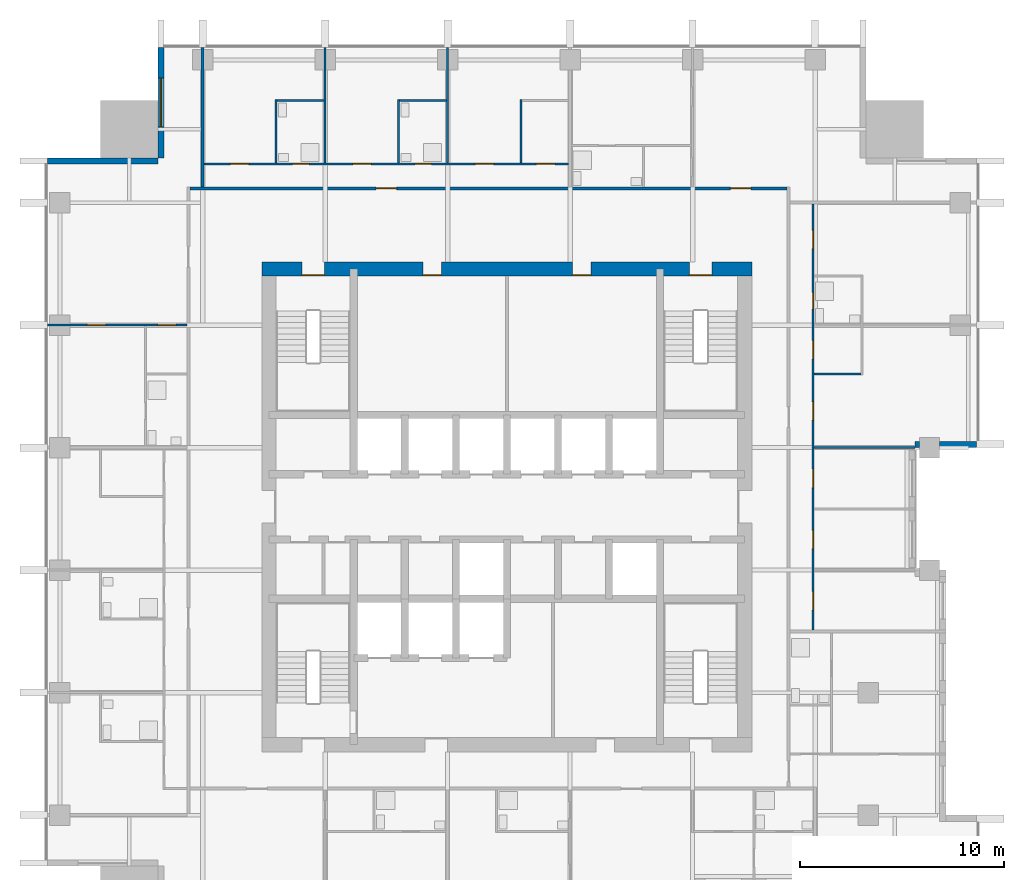
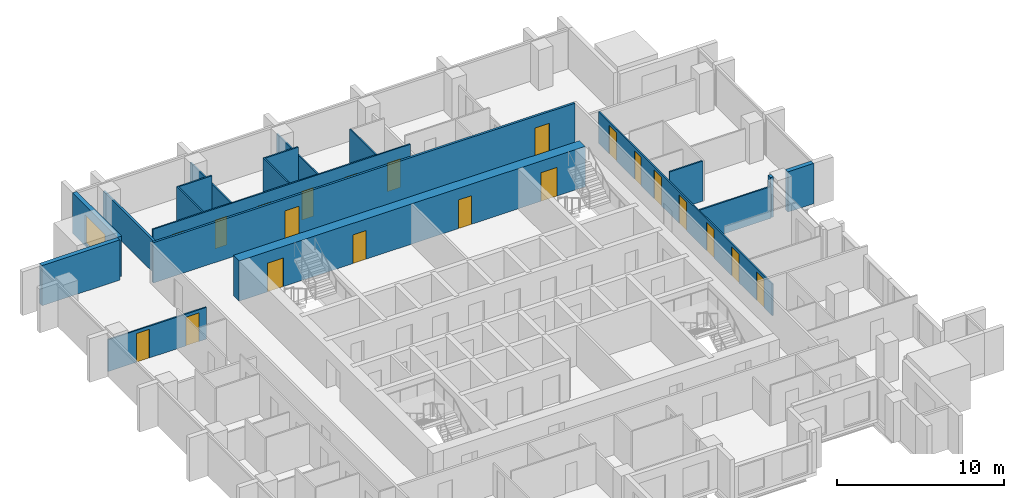
# One storey, part 7 of 10: 21 doors, 19 walls, 1 window, 22 openings.
"""IFC4 building model written with IfcOpenShell, lengths in metres."""

from ifc_helpers import new_model, si_unit, direction, frame, frame_2d, origin, place, context, subcontext, project, spatial, rectangle, extrude, material, layer, layer_set, type_object, element, fill, save


model = new_model("IFC4")

# Units and contexts
model_context = context("Model", 3, precision=1e-05, world=origin(), true_north=direction((0.0, 1.0)))
body_context = subcontext(model_context, "Body", "Model", "MODEL_VIEW")
ifc_project = project(units=[si_unit("LENGTHUNIT", "METRE"), si_unit("AREAUNIT", "SQUARE_METRE"), si_unit("VOLUMEUNIT", "CUBIC_METRE"), si_unit("PLANEANGLEUNIT", "RADIAN"), si_unit("MASSUNIT", "GRAM", prefix="KILO")], contexts=[model_context])

# Site, building, storey
site_placement = place(None, origin())
site = spatial("IfcSite", under=ifc_project, at=site_placement, CompositionType="ELEMENT")
building_placement = place(site_placement, origin())
building = spatial("IfcBuilding", under=site, at=building_placement, Name="Amberfall Residences", CompositionType="ELEMENT")
storey_placement = place(building_placement, frame((0.0, 0.0, 174.699951171875)))
storey = spatial("IfcBuildingStorey", under=building, at=storey_placement, Name="L47", CompositionType="ELEMENT", Elevation=174.699951171875)

# Walls
ifc_material_1 = material(Name="Pale stone cladding on insulated backing", Category="masonry")
ifc_layer_1 = layer(ifc_material_1, 0.300048828125)
ifc_layer_set_1 = layer_set([ifc_layer_1], Name="Bronze clad wall 300")
wall_type_1 = type_object("IfcWallType", Name="Bronze clad wall 300", PredefinedType="SOLIDWALL", material=ifc_layer_set_1)
wall_1_placement = place(storey_placement, frame((94.5, 48.550048828125, 0.0), z_axis=(0.0, 0.0, 1.0), x_axis=(1.0, 0.0, 0.0)))
element("IfcWall", 1, at=wall_1_placement, inside=storey, type_object=wall_type_1, Name="External wall L47 E", PredefinedType="SOLIDWALL", context=body_context, shape_type="SweptSolid", body=[
    extrude(rectangle(XDim=0.199951171875, YDim=0.300048828125, at=frame_2d((0.10009765625, 0.0))), origin(), (0.0, 0.0, 1.0), 2.949951171875),
])
wall_2_placement = place(storey_placement, frame((95.699951171875, 48.550048828125, 0.0), z_axis=(0.0, 0.0, 1.0), x_axis=(1.0, 0.0, 0.0)))
element("IfcWall", 2, at=wall_2_placement, inside=storey, type_object=wall_type_1, Name="External wall L47 E", PredefinedType="SOLIDWALL", context=body_context, shape_type="SweptSolid", body=[
    extrude(rectangle(XDim=1.800048828125, YDim=0.300048828125, at=frame_2d((0.89990234375, 0.0))), origin(), (0.0, 0.0, 1.0), 2.949951171875),
])

# Wall, opening, window
wall_3_placement = place(storey_placement, frame((57.550048828125, 68.0, 0.0), z_axis=(0.0, 0.0, 1.0), x_axis=(0.0, -1.0, 0.0)))
wall_3 = element("IfcWall", 3, at=wall_3_placement, inside=storey, type_object=wall_type_1, Name="External wall L47 NW", PredefinedType="SOLIDWALL", context=body_context, shape_type="SweptSolid", body=[
    extrude(rectangle(XDim=5.39990234375, YDim=0.300048828125, at=frame_2d((2.699951171875, 0.0))), origin(), (0.0, 0.0, 1.0), 2.949951171875),
])
opening_1_placement = place(wall_3_placement, frame((1.5, 0.0, 0.14990234375)))
opening_1 = element("IfcOpeningElement", 4, at=opening_1_placement, cuts=wall_3, Name="Opening WN5", PredefinedType="OPENING", context=body_context, shape_type="SweptSolid", body=[
    extrude(rectangle(XDim=2.39990234375, YDim=2.10009765625, at=frame_2d((1.199951171875, 1.050048828125))), frame((0.0, 0.159912109375, 0.0), z_axis=(0.0, -1.0, 0.0), x_axis=(1.0, 0.0, 0.0)), (0.0, 0.0, 1.0), 0.320068359375),
])
ifc_material_2 = material(Name="Bronze aluminium framed glazing", Category="aluminium")
window_type = type_object("IfcWindowType", Name="Glazed opening 2400 x 2100 bronze", PartitioningType="DOUBLE_PANEL_VERTICAL", PredefinedType="WINDOW", material=ifc_material_2)
window_placement = place(opening_1_placement, origin())
window = element("IfcWindow", 5, at=window_placement, inside=storey, type_object=window_type, Name="Window L47 NW", OverallHeight=2.10009765625, OverallWidth=2.39990234375, PartitioningType="DOUBLE_PANEL_VERTICAL", PredefinedType="WINDOW", context=body_context, shape_type="SweptSolid", body=[
    extrude(rectangle(XDim=2.39990234375, YDim=2.10009765625, at=frame_2d((1.199951171875, 1.050048828125))), frame((0.0, 0.030029296875, 0.0), z_axis=(0.0, -1.0, 0.0), x_axis=(1.0, 0.0, 0.0)), (0.0, 0.0, 1.0), 0.06005859375),
])
fill(opening_1, window)

# Wall
wall_4_placement = place(storey_placement, frame((57.39990234375, 62.449951171875, 0.0), z_axis=(0.0, 0.0, 1.0), x_axis=(-1.0, 0.0, 0.0)))
element("IfcWall", 6, at=wall_4_placement, inside=storey, type_object=wall_type_1, Name="External wall L47 NW", PredefinedType="SOLIDWALL", context=body_context, shape_type="SweptSolid", body=[
    extrude(rectangle(XDim=5.39990234375, YDim=0.300048828125, at=frame_2d((2.699951171875, 0.0))), origin(), (0.0, 0.0, 1.0), 2.949951171875),
])

# Wall, openings, doors
ifc_material_3 = material(Name="Concrete C60", Category="concrete")
ifc_layer_2 = layer(ifc_material_3, 0.699951171875)
ifc_layer_set_2 = layer_set([ifc_layer_2], Name="Core wall 700 C60")
wall_type_2 = type_object("IfcWallType", Name="Core wall 700 C60", PredefinedType="SHEAR", material=ifc_layer_set_2)
wall_5_placement = place(storey_placement, frame((62.5, 57.14990234375, 0.0), z_axis=(0.0, 0.0, 1.0), x_axis=(1.0, 0.0, 0.0)))
wall_5 = element("IfcWall", 7, at=wall_5_placement, inside=storey, type_object=wall_type_2, Name="Core wall RW5 L47 ON", PredefinedType="SHEAR", context=body_context, shape_type="SweptSolid", body=[
    extrude(rectangle(XDim=24.0, YDim=0.699951171875, at=frame_2d((12.0, 0.0))), origin(), (0.0, 0.0, 1.0), 2.949951171875),
])
opening_2_placement = place(wall_5_placement, frame((20.9375, 0.0, 0.0)))
opening_2 = element("IfcOpeningElement", 8, at=opening_2_placement, cuts=wall_5, Name="Opening SD1", PredefinedType="OPENING", context=body_context, shape_type="SweptSolid", body=[
    extrude(rectangle(XDim=1.10009765625, YDim=2.10009765625, at=frame_2d((0.550048828125, 1.050048828125))), frame((0.0, 0.35986328125, 0.0), z_axis=(0.0, -1.0, 0.0), x_axis=(1.0, 0.0, 0.0)), (0.0, 0.0, 1.0), 0.719970703125),
])
opening_3_placement = place(wall_5_placement, frame((1.96240234375, 0.0, 0.0)))
opening_3 = element("IfcOpeningElement", 9, at=opening_3_placement, cuts=wall_5, Name="Opening SD1", PredefinedType="OPENING", context=body_context, shape_type="SweptSolid", body=[
    extrude(rectangle(XDim=1.10009765625, YDim=2.10009765625, at=frame_2d((0.550048828125, 1.050048828125))), frame((0.0, 0.35986328125, 0.0), z_axis=(0.0, -1.0, 0.0), x_axis=(1.0, 0.0, 0.0)), (0.0, 0.0, 1.0), 0.719970703125),
])
opening_4_placement = place(wall_5_placement, frame((7.887451171875, 0.0, 0.0)))
opening_4 = element("IfcOpeningElement", 10, at=opening_4_placement, cuts=wall_5, Name="Opening RD1", PredefinedType="OPENING", context=body_context, shape_type="SweptSolid", body=[
    extrude(rectangle(XDim=0.89990234375, YDim=2.10009765625, at=frame_2d((0.449951171875, 1.050048828125))), frame((0.0, 0.35986328125, 0.0), z_axis=(0.0, -1.0, 0.0), x_axis=(1.0, 0.0, 0.0)), (0.0, 0.0, 1.0), 0.719970703125),
])
opening_5_placement = place(wall_5_placement, frame((15.21240234375, 0.0, 0.0)))
opening_5 = element("IfcOpeningElement", 11, at=opening_5_placement, cuts=wall_5, Name="Opening RD1", PredefinedType="OPENING", context=body_context, shape_type="SweptSolid", body=[
    extrude(rectangle(XDim=0.89990234375, YDim=2.10009765625, at=frame_2d((0.449951171875, 1.050048828125))), frame((0.0, 0.35986328125, 0.0), z_axis=(0.0, -1.0, 0.0), x_axis=(1.0, 0.0, 0.0)), (0.0, 0.0, 1.0), 0.719970703125),
])
ifc_material_4 = material(Name="Steel fire door set", Category="steel")
door_type_1 = type_object("IfcDoorType", Name="Service room door 900 x 2100", OperationType="SINGLE_SWING_LEFT", PredefinedType="DOOR", material=ifc_material_4)
door_1_placement = place(opening_4_placement, origin())
door_1 = element("IfcDoor", 12, at=door_1_placement, inside=storey, type_object=door_type_1, Name="RD1 L47", OperationType="SINGLE_SWING_RIGHT", OverallHeight=2.10009765625, OverallWidth=0.89990234375, PredefinedType="DOOR", context=body_context, shape_type="SweptSolid", body=[
    extrude(rectangle(XDim=0.89990234375, YDim=2.10009765625, at=frame_2d((0.449951171875, 1.050048828125))), frame((0.0, -0.28759765625, 0.0), z_axis=(0.0, -1.0, 0.0), x_axis=(1.0, 0.0, 0.0)), (0.0, 0.0, 1.0), 0.050048828125),
])
fill(opening_4, door_1)
door_2_placement = place(opening_5_placement, origin())
door_2 = element("IfcDoor", 13, at=door_2_placement, inside=storey, type_object=door_type_1, Name="RD1 L47", OperationType="SINGLE_SWING_RIGHT", OverallHeight=2.10009765625, OverallWidth=0.89990234375, PredefinedType="DOOR", context=body_context, shape_type="SweptSolid", body=[
    extrude(rectangle(XDim=0.89990234375, YDim=2.10009765625, at=frame_2d((0.449951171875, 1.050048828125))), frame((0.0, -0.28759765625, 0.0), z_axis=(0.0, -1.0, 0.0), x_axis=(1.0, 0.0, 0.0)), (0.0, 0.0, 1.0), 0.050048828125),
])
fill(opening_5, door_2)
door_type_2 = type_object("IfcDoorType", Name="Stair door 1100 x 2100", OperationType="SINGLE_SWING_LEFT", PredefinedType="DOOR", material=ifc_material_4)
door_3_placement = place(opening_2_placement, origin())
door_3 = element("IfcDoor", 14, at=door_3_placement, inside=storey, type_object=door_type_2, Name="SD1 L47", OperationType="SINGLE_SWING_RIGHT", OverallHeight=2.10009765625, OverallWidth=1.10009765625, PredefinedType="DOOR", context=body_context, shape_type="SweptSolid", body=[
    extrude(rectangle(XDim=1.10009765625, YDim=2.10009765625, at=frame_2d((0.550048828125, 1.050048828125))), frame((0.0, -0.28759765625, 0.0), z_axis=(0.0, -1.0, 0.0), x_axis=(1.0, 0.0, 0.0)), (0.0, 0.0, 1.0), 0.050048828125),
])
fill(opening_2, door_3)
door_4_placement = place(opening_3_placement, origin())
door_4 = element("IfcDoor", 15, at=door_4_placement, inside=storey, type_object=door_type_2, Name="SD1 L47", OperationType="SINGLE_SWING_LEFT", OverallHeight=2.10009765625, OverallWidth=1.10009765625, PredefinedType="DOOR", context=body_context, shape_type="SweptSolid", body=[
    extrude(rectangle(XDim=1.10009765625, YDim=2.10009765625, at=frame_2d((0.550048828125, 1.050048828125))), frame((0.0, -0.28759765625, 0.0), z_axis=(0.0, -1.0, 0.0), x_axis=(1.0, 0.0, 0.0)), (0.0, 0.0, 1.0), 0.050048828125),
])
fill(opening_3, door_4)

# Walls
ifc_material_5 = material(Name="Gypsum board on metal stud")
ifc_layer_3 = layer(ifc_material_5, 0.10009765625)
ifc_layer_set_3 = layer_set([ifc_layer_3], Name="Flat partition 100")
wall_type_3 = type_object("IfcWallType", Name="Flat partition 100", PredefinedType="PARTITIONING", material=ifc_layer_set_3)
wall_6_placement = place(storey_placement, frame((63.199951171875, 62.35009765625, 0.0), z_axis=(0.0, 0.0, 1.0), x_axis=(0.0, 1.0, 0.0)))
element("IfcWall", 16, at=wall_6_placement, inside=storey, type_object=wall_type_3, Name="Partition 006", PredefinedType="PARTITIONING", context=body_context, shape_type="SweptSolid", body=[
    extrude(rectangle(XDim=3.099853515625, YDim=0.10009765625, at=frame_2d((1.5498046875, 0.0))), origin(), (0.0, 0.0, 1.0), 2.949951171875),
])
wall_7_placement = place(storey_placement, frame((65.60009765625, 62.35009765625, 0.0), z_axis=(0.0, 0.0, 1.0), x_axis=(0.0, 1.0, 0.0)))
element("IfcWall", 17, at=wall_7_placement, inside=storey, type_object=wall_type_3, Name="Partition 008", PredefinedType="PARTITIONING", context=body_context, shape_type="SweptSolid", body=[
    extrude(rectangle(XDim=5.64990234375, YDim=0.10009765625, at=frame_2d((2.824951171875, 0.0))), origin(), (0.0, 0.0, 1.0), 2.33203125),
])
wall_8_placement = place(storey_placement, frame((69.199951171875, 62.35009765625, 0.0), z_axis=(0.0, 0.0, 1.0), x_axis=(0.0, 1.0, 0.0)))
element("IfcWall", 18, at=wall_8_placement, inside=storey, type_object=wall_type_3, Name="Partition 010", PredefinedType="PARTITIONING", context=body_context, shape_type="SweptSolid", body=[
    extrude(rectangle(XDim=3.099853515625, YDim=0.10009765625, at=frame_2d((1.5498046875, 0.0))), origin(), (0.0, 0.0, 1.0), 2.949951171875),
])
wall_9_placement = place(storey_placement, frame((71.60009765625, 62.35009765625, 0.0), z_axis=(0.0, 0.0, 1.0), x_axis=(0.0, 1.0, 0.0)))
element("IfcWall", 19, at=wall_9_placement, inside=storey, type_object=wall_type_3, Name="Partition 011", PredefinedType="PARTITIONING", context=body_context, shape_type="SweptSolid", body=[
    extrude(rectangle(XDim=5.64990234375, YDim=0.10009765625, at=frame_2d((2.824951171875, 0.0))), origin(), (0.0, 0.0, 1.0), 2.33203125),
])
wall_10_placement = place(storey_placement, frame((75.199951171875, 62.35009765625, 0.0), z_axis=(0.0, 0.0, 1.0), x_axis=(0.0, 1.0, 0.0)))
element("IfcWall", 20, at=wall_10_placement, inside=storey, type_object=wall_type_3, Name="Partition 013", PredefinedType="PARTITIONING", context=body_context, shape_type="SweptSolid", body=[
    extrude(rectangle(XDim=3.099853515625, YDim=0.10009765625, at=frame_2d((1.5498046875, 0.0))), origin(), (0.0, 0.0, 1.0), 2.949951171875),
])

# Wall, openings, doors
wall_11_placement = place(storey_placement, frame((89.5, 60.324951171875, 0.0), z_axis=(0.0, 0.0, 1.0), x_axis=(0.0, -1.0, 0.0)))
wall_11 = element("IfcWall", 21, at=wall_11_placement, inside=storey, type_object=wall_type_3, Name="Partition 019", PredefinedType="PARTITIONING", context=body_context, shape_type="SweptSolid", body=[
    extrude(rectangle(XDim=20.849853515625, YDim=0.10009765625, at=frame_2d((10.4248046875, 0.0))), origin(), (0.0, 0.0, 1.0), 2.33203125),
])
opening_6_placement = place(wall_11_placement, frame((9.675048828125, 0.0, 0.0)))
opening_6 = element("IfcOpeningElement", 22, at=opening_6_placement, cuts=wall_11, Name="Opening D41", PredefinedType="OPENING", context=body_context, shape_type="SweptSolid", body=[
    extrude(rectangle(XDim=0.89990234375, YDim=2.10009765625, at=frame_2d((0.449951171875, 1.050048828125))), frame((0.0, 0.06005859375, 0.0), z_axis=(0.0, -1.0, 0.0), x_axis=(1.0, 0.0, 0.0)), (0.0, 0.0, 1.0), 0.1201171875),
])
opening_7_placement = place(wall_11_placement, frame((6.675048828125, 0.0, 0.0)))
opening_7 = element("IfcOpeningElement", 23, at=opening_7_placement, cuts=wall_11, Name="Opening D41", PredefinedType="OPENING", context=body_context, shape_type="SweptSolid", body=[
    extrude(rectangle(XDim=0.89990234375, YDim=2.10009765625, at=frame_2d((0.449951171875, 1.050048828125))), frame((0.0, 0.06005859375, 0.0), z_axis=(0.0, -1.0, 0.0), x_axis=(1.0, 0.0, 0.0)), (0.0, 0.0, 1.0), 0.1201171875),
])
opening_8_placement = place(wall_11_placement, frame((18.97509765625, 0.0, 0.0)))
opening_8 = element("IfcOpeningElement", 24, at=opening_8_placement, cuts=wall_11, Name="Opening D41", PredefinedType="OPENING", context=body_context, shape_type="SweptSolid", body=[
    extrude(rectangle(XDim=0.89990234375, YDim=2.10009765625, at=frame_2d((0.449951171875, 1.050048828125))), frame((0.0, 0.06005859375, 0.0), z_axis=(0.0, -1.0, 0.0), x_axis=(1.0, 0.0, 0.0)), (0.0, 0.0, 1.0), 0.1201171875),
])
opening_9_placement = place(wall_11_placement, frame((15.97509765625, 0.0, 0.0)))
opening_9 = element("IfcOpeningElement", 25, at=opening_9_placement, cuts=wall_11, Name="Opening D41", PredefinedType="OPENING", context=body_context, shape_type="SweptSolid", body=[
    extrude(rectangle(XDim=0.89990234375, YDim=2.10009765625, at=frame_2d((0.449951171875, 1.050048828125))), frame((0.0, 0.06005859375, 0.0), z_axis=(0.0, -1.0, 0.0), x_axis=(1.0, 0.0, 0.0)), (0.0, 0.0, 1.0), 0.1201171875),
])
opening_10_placement = place(wall_11_placement, frame((12.97509765625, 0.0, 0.0)))
opening_10 = element("IfcOpeningElement", 26, at=opening_10_placement, cuts=wall_11, Name="Opening D41", PredefinedType="OPENING", context=body_context, shape_type="SweptSolid", body=[
    extrude(rectangle(XDim=0.89990234375, YDim=2.10009765625, at=frame_2d((0.449951171875, 1.050048828125))), frame((0.0, 0.06005859375, 0.0), z_axis=(0.0, -1.0, 0.0), x_axis=(1.0, 0.0, 0.0)), (0.0, 0.0, 1.0), 0.1201171875),
])
opening_11_placement = place(wall_11_placement, frame((1.27490234375, 0.0, 0.0)))
opening_11 = element("IfcOpeningElement", 27, at=opening_11_placement, cuts=wall_11, Name="Opening D41", PredefinedType="OPENING", context=body_context, shape_type="SweptSolid", body=[
    extrude(rectangle(XDim=0.89990234375, YDim=2.10009765625, at=frame_2d((0.449951171875, 1.050048828125))), frame((0.0, 0.06005859375, 0.0), z_axis=(0.0, -1.0, 0.0), x_axis=(1.0, 0.0, 0.0)), (0.0, 0.0, 1.0), 0.1201171875),
])
opening_12_placement = place(wall_11_placement, frame((4.324951171875, 0.0, 0.0)))
opening_12 = element("IfcOpeningElement", 28, at=opening_12_placement, cuts=wall_11, Name="Opening D42", PredefinedType="OPENING", context=body_context, shape_type="SweptSolid", body=[
    extrude(rectangle(XDim=0.800048828125, YDim=2.10009765625, at=frame_2d((0.39990234375, 1.050048828125))), frame((0.0, 0.06005859375, 0.0), z_axis=(0.0, -1.0, 0.0), x_axis=(1.0, 0.0, 0.0)), (0.0, 0.0, 1.0), 0.1201171875),
])
ifc_material_6 = material(Name="Timber", Category="wood")
door_type_3 = type_object("IfcDoorType", Name="Bathroom door 800 x 2100", OperationType="SINGLE_SWING_LEFT", PredefinedType="DOOR", material=ifc_material_6)
door_5_placement = place(opening_12_placement, origin())
door_5 = element("IfcDoor", 29, at=door_5_placement, inside=storey, type_object=door_type_3, Name="Door 4704 bath1", OperationType="SINGLE_SWING_LEFT", OverallHeight=2.10009765625, OverallWidth=0.800048828125, PredefinedType="DOOR", context=body_context, shape_type="SweptSolid", body=[
    extrude(rectangle(XDim=0.800048828125, YDim=2.10009765625, at=frame_2d((0.39990234375, 1.050048828125))), frame((0.0, 0.02490234375, 0.0), z_axis=(0.0, -1.0, 0.0), x_axis=(1.0, 0.0, 0.0)), (0.0, 0.0, 1.0), 0.050048828125),
])
fill(opening_12, door_5)
door_type_4 = type_object("IfcDoorType", Name="Internal door 900 x 2100", OperationType="SINGLE_SWING_LEFT", PredefinedType="DOOR", material=ifc_material_6)
door_6_placement = place(opening_6_placement, origin())
door_6 = element("IfcDoor", 30, at=door_6_placement, inside=storey, type_object=door_type_4, Name="Door 4704 living", OperationType="SINGLE_SWING_LEFT", OverallHeight=2.10009765625, OverallWidth=0.89990234375, PredefinedType="DOOR", context=body_context, shape_type="SweptSolid", body=[
    extrude(rectangle(XDim=0.89990234375, YDim=2.10009765625, at=frame_2d((0.449951171875, 1.050048828125))), frame((0.0, 0.02490234375, 0.0), z_axis=(0.0, -1.0, 0.0), x_axis=(1.0, 0.0, 0.0)), (0.0, 0.0, 1.0), 0.050048828125),
])
fill(opening_6, door_6)
door_7_placement = place(opening_7_placement, origin())
door_7 = element("IfcDoor", 31, at=door_7_placement, inside=storey, type_object=door_type_4, Name="Door 4704 kitchen", OperationType="SINGLE_SWING_LEFT", OverallHeight=2.10009765625, OverallWidth=0.89990234375, PredefinedType="DOOR", context=body_context, shape_type="SweptSolid", body=[
    extrude(rectangle(XDim=0.89990234375, YDim=2.10009765625, at=frame_2d((0.449951171875, 1.050048828125))), frame((0.0, 0.02490234375, 0.0), z_axis=(0.0, -1.0, 0.0), x_axis=(1.0, 0.0, 0.0)), (0.0, 0.0, 1.0), 0.050048828125),
])
fill(opening_7, door_7)
door_8_placement = place(opening_8_placement, origin())
door_8 = element("IfcDoor", 32, at=door_8_placement, inside=storey, type_object=door_type_4, Name="Door 4704 bedroom1", OperationType="SINGLE_SWING_LEFT", OverallHeight=2.10009765625, OverallWidth=0.89990234375, PredefinedType="DOOR", context=body_context, shape_type="SweptSolid", body=[
    extrude(rectangle(XDim=0.89990234375, YDim=2.10009765625, at=frame_2d((0.449951171875, 1.050048828125))), frame((0.0, 0.02490234375, 0.0), z_axis=(0.0, -1.0, 0.0), x_axis=(1.0, 0.0, 0.0)), (0.0, 0.0, 1.0), 0.050048828125),
])
fill(opening_8, door_8)
door_9_placement = place(opening_9_placement, origin())
door_9 = element("IfcDoor", 33, at=door_9_placement, inside=storey, type_object=door_type_4, Name="Door 4704 bedroom2", OperationType="SINGLE_SWING_LEFT", OverallHeight=2.10009765625, OverallWidth=0.89990234375, PredefinedType="DOOR", context=body_context, shape_type="SweptSolid", body=[
    extrude(rectangle(XDim=0.89990234375, YDim=2.10009765625, at=frame_2d((0.449951171875, 1.050048828125))), frame((0.0, 0.02490234375, 0.0), z_axis=(0.0, -1.0, 0.0), x_axis=(1.0, 0.0, 0.0)), (0.0, 0.0, 1.0), 0.050048828125),
])
fill(opening_9, door_9)
door_10_placement = place(opening_10_placement, origin())
door_10 = element("IfcDoor", 34, at=door_10_placement, inside=storey, type_object=door_type_4, Name="Door 4704 bedroom3", OperationType="SINGLE_SWING_LEFT", OverallHeight=2.10009765625, OverallWidth=0.89990234375, PredefinedType="DOOR", context=body_context, shape_type="SweptSolid", body=[
    extrude(rectangle(XDim=0.89990234375, YDim=2.10009765625, at=frame_2d((0.449951171875, 1.050048828125))), frame((0.0, 0.02490234375, 0.0), z_axis=(0.0, -1.0, 0.0), x_axis=(1.0, 0.0, 0.0)), (0.0, 0.0, 1.0), 0.050048828125),
])
fill(opening_10, door_10)
door_11_placement = place(opening_11_placement, origin())
door_11 = element("IfcDoor", 35, at=door_11_placement, inside=storey, type_object=door_type_4, Name="Door 4704 bedroom4", OperationType="SINGLE_SWING_LEFT", OverallHeight=2.10009765625, OverallWidth=0.89990234375, PredefinedType="DOOR", context=body_context, shape_type="SweptSolid", body=[
    extrude(rectangle(XDim=0.89990234375, YDim=2.10009765625, at=frame_2d((0.449951171875, 1.050048828125))), frame((0.0, 0.02490234375, 0.0), z_axis=(0.0, -1.0, 0.0), x_axis=(1.0, 0.0, 0.0)), (0.0, 0.0, 1.0), 0.050048828125),
])
fill(opening_11, door_11)

# Walls
for number, where, z_axis, x_axis, name in (
    (36, (63.25, 65.39990234375, 0.0), (0.0, 0.0, 1.0), (1.0, 0.0, 0.0), "Partition 022"),
    (37, (69.25, 65.39990234375, 0.0), (0.0, 0.0, 1.0), (1.0, 0.0, 0.0), "Partition 023"),
):
    element("IfcWall", number, at=place(storey_placement, frame(where, z_axis=z_axis, x_axis=x_axis)), inside=storey, type_object=wall_type_3, Name=name, PredefinedType="PARTITIONING", context=body_context, shape_type="SweptSolid", body=[
        extrude(rectangle(XDim=2.300048828125, YDim=0.10009765625, at=frame_2d((1.14990234375, 0.0))), origin(), (0.0, 0.0, 1.0), 2.949951171875),
    ])

# Wall, openings, doors
wall_12_placement = place(storey_placement, frame((59.675048828125, 62.300048828125, 0.0), z_axis=(0.0, 0.0, 1.0), x_axis=(1.0, 0.0, 0.0)))
wall_12 = element("IfcWall", 38, at=wall_12_placement, inside=storey, type_object=wall_type_3, Name="Partition 026", PredefinedType="PARTITIONING", context=body_context, shape_type="SweptSolid", body=[
    extrude(rectangle(XDim=17.849853515625, YDim=0.10009765625, at=frame_2d((8.9248046875, 0.0))), origin(), (0.0, 0.0, 1.0), 2.949951171875),
])
opening_13_placement = place(wall_12_placement, frame((13.27490234375, 0.0, 0.0)))
opening_13 = element("IfcOpeningElement", 39, at=opening_13_placement, cuts=wall_12, Name="Opening D41", PredefinedType="OPENING", context=body_context, shape_type="SweptSolid", body=[
    extrude(rectangle(XDim=0.89990234375, YDim=2.10009765625, at=frame_2d((0.449951171875, 1.050048828125))), frame((0.0, 0.06005859375, 0.0), z_axis=(0.0, -1.0, 0.0), x_axis=(1.0, 0.0, 0.0)), (0.0, 0.0, 1.0), 0.1201171875),
])
opening_14_placement = place(wall_12_placement, frame((16.27490234375, 0.0, 0.0)))
opening_14 = element("IfcOpeningElement", 40, at=opening_14_placement, cuts=wall_12, Name="Opening D41", PredefinedType="OPENING", context=body_context, shape_type="SweptSolid", body=[
    extrude(rectangle(XDim=0.89990234375, YDim=2.10009765625, at=frame_2d((0.449951171875, 1.050048828125))), frame((0.0, 0.06005859375, 0.0), z_axis=(0.0, -1.0, 0.0), x_axis=(1.0, 0.0, 0.0)), (0.0, 0.0, 1.0), 0.1201171875),
])
opening_15_placement = place(wall_12_placement, frame((1.27490234375, 0.0, 0.0)))
opening_15 = element("IfcOpeningElement", 41, at=opening_15_placement, cuts=wall_12, Name="Opening D41", PredefinedType="OPENING", context=body_context, shape_type="SweptSolid", body=[
    extrude(rectangle(XDim=0.89990234375, YDim=2.10009765625, at=frame_2d((0.449951171875, 1.050048828125))), frame((0.0, 0.06005859375, 0.0), z_axis=(0.0, -1.0, 0.0), x_axis=(1.0, 0.0, 0.0)), (0.0, 0.0, 1.0), 0.1201171875),
])
opening_16_placement = place(wall_12_placement, frame((7.27490234375, 0.0, 0.0)))
opening_16 = element("IfcOpeningElement", 42, at=opening_16_placement, cuts=wall_12, Name="Opening D41", PredefinedType="OPENING", context=body_context, shape_type="SweptSolid", body=[
    extrude(rectangle(XDim=0.89990234375, YDim=2.10009765625, at=frame_2d((0.449951171875, 1.050048828125))), frame((0.0, 0.06005859375, 0.0), z_axis=(0.0, -1.0, 0.0), x_axis=(1.0, 0.0, 0.0)), (0.0, 0.0, 1.0), 0.1201171875),
])
opening_17_placement = place(wall_12_placement, frame((4.324951171875, 0.0, 0.0)))
opening_17 = element("IfcOpeningElement", 43, at=opening_17_placement, cuts=wall_12, Name="Opening D42", PredefinedType="OPENING", context=body_context, shape_type="SweptSolid", body=[
    extrude(rectangle(XDim=0.800048828125, YDim=2.10009765625, at=frame_2d((0.39990234375, 1.050048828125))), frame((0.0, 0.06005859375, 0.0), z_axis=(0.0, -1.0, 0.0), x_axis=(1.0, 0.0, 0.0)), (0.0, 0.0, 1.0), 0.1201171875),
])
opening_18_placement = place(wall_12_placement, frame((10.324951171875, 0.0, 0.0)))
opening_18 = element("IfcOpeningElement", 44, at=opening_18_placement, cuts=wall_12, Name="Opening D42", PredefinedType="OPENING", context=body_context, shape_type="SweptSolid", body=[
    extrude(rectangle(XDim=0.800048828125, YDim=2.10009765625, at=frame_2d((0.39990234375, 1.050048828125))), frame((0.0, 0.06005859375, 0.0), z_axis=(0.0, -1.0, 0.0), x_axis=(1.0, 0.0, 0.0)), (0.0, 0.0, 1.0), 0.1201171875),
])
door_12_placement = place(opening_17_placement, origin())
door_12 = element("IfcDoor", 45, at=door_12_placement, inside=storey, type_object=door_type_3, Name="Door 4705 bath1", OperationType="SINGLE_SWING_LEFT", OverallHeight=2.10009765625, OverallWidth=0.800048828125, PredefinedType="DOOR", context=body_context, shape_type="SweptSolid", body=[
    extrude(rectangle(XDim=0.800048828125, YDim=2.10009765625, at=frame_2d((0.39990234375, 1.050048828125))), frame((0.0, 0.02490234375, 0.0), z_axis=(0.0, -1.0, 0.0), x_axis=(1.0, 0.0, 0.0)), (0.0, 0.0, 1.0), 0.050048828125),
])
fill(opening_17, door_12)
door_13_placement = place(opening_18_placement, origin())
door_13 = element("IfcDoor", 46, at=door_13_placement, inside=storey, type_object=door_type_3, Name="Door 4705 bath2", OperationType="SINGLE_SWING_LEFT", OverallHeight=2.10009765625, OverallWidth=0.800048828125, PredefinedType="DOOR", context=body_context, shape_type="SweptSolid", body=[
    extrude(rectangle(XDim=0.800048828125, YDim=2.10009765625, at=frame_2d((0.39990234375, 1.050048828125))), frame((0.0, 0.02490234375, 0.0), z_axis=(0.0, -1.0, 0.0), x_axis=(1.0, 0.0, 0.0)), (0.0, 0.0, 1.0), 0.050048828125),
])
fill(opening_18, door_13)
door_14_placement = place(opening_13_placement, origin())
door_14 = element("IfcDoor", 47, at=door_14_placement, inside=storey, type_object=door_type_4, Name="Door 4705 living", OperationType="SINGLE_SWING_LEFT", OverallHeight=2.10009765625, OverallWidth=0.89990234375, PredefinedType="DOOR", context=body_context, shape_type="SweptSolid", body=[
    extrude(rectangle(XDim=0.89990234375, YDim=2.10009765625, at=frame_2d((0.449951171875, 1.050048828125))), frame((0.0, 0.02490234375, 0.0), z_axis=(0.0, -1.0, 0.0), x_axis=(1.0, 0.0, 0.0)), (0.0, 0.0, 1.0), 0.050048828125),
])
fill(opening_13, door_14)
door_15_placement = place(opening_14_placement, origin())
door_15 = element("IfcDoor", 48, at=door_15_placement, inside=storey, type_object=door_type_4, Name="Door 4705 kitchen", OperationType="SINGLE_SWING_LEFT", OverallHeight=2.10009765625, OverallWidth=0.89990234375, PredefinedType="DOOR", context=body_context, shape_type="SweptSolid", body=[
    extrude(rectangle(XDim=0.89990234375, YDim=2.10009765625, at=frame_2d((0.449951171875, 1.050048828125))), frame((0.0, 0.02490234375, 0.0), z_axis=(0.0, -1.0, 0.0), x_axis=(1.0, 0.0, 0.0)), (0.0, 0.0, 1.0), 0.050048828125),
])
fill(opening_14, door_15)
door_16_placement = place(opening_15_placement, origin())
door_16 = element("IfcDoor", 49, at=door_16_placement, inside=storey, type_object=door_type_4, Name="Door 4705 bedroom1", OperationType="SINGLE_SWING_LEFT", OverallHeight=2.10009765625, OverallWidth=0.89990234375, PredefinedType="DOOR", context=body_context, shape_type="SweptSolid", body=[
    extrude(rectangle(XDim=0.89990234375, YDim=2.10009765625, at=frame_2d((0.449951171875, 1.050048828125))), frame((0.0, 0.02490234375, 0.0), z_axis=(0.0, -1.0, 0.0), x_axis=(1.0, 0.0, 0.0)), (0.0, 0.0, 1.0), 0.050048828125),
])
fill(opening_15, door_16)
door_17_placement = place(opening_16_placement, origin())
door_17 = element("IfcDoor", 50, at=door_17_placement, inside=storey, type_object=door_type_4, Name="Door 4705 bedroom2", OperationType="SINGLE_SWING_LEFT", OverallHeight=2.10009765625, OverallWidth=0.89990234375, PredefinedType="DOOR", context=body_context, shape_type="SweptSolid", body=[
    extrude(rectangle(XDim=0.89990234375, YDim=2.10009765625, at=frame_2d((0.449951171875, 1.050048828125))), frame((0.0, 0.02490234375, 0.0), z_axis=(0.0, -1.0, 0.0), x_axis=(1.0, 0.0, 0.0)), (0.0, 0.0, 1.0), 0.050048828125),
])
fill(opening_16, door_17)

wall_13_placement = place(storey_placement, frame((58.824951171875, 54.39990234375, 0.0), z_axis=(0.0, 0.0, 1.0), x_axis=(-1.0, 0.0, 0.0)))
wall_13 = element("IfcWall", 51, at=wall_13_placement, inside=storey, type_object=wall_type_3, Name="Partition 028", PredefinedType="PARTITIONING", context=body_context, shape_type="SweptSolid", body=[
    extrude(rectangle(XDim=6.824951171875, YDim=0.10009765625, at=frame_2d((3.41259765625, 0.0))), origin(), (0.0, 0.0, 1.0), 2.33203125),
])
opening_19_placement = place(wall_13_placement, frame((0.52490234375, 0.0, 0.0)))
opening_19 = element("IfcOpeningElement", 52, at=opening_19_placement, cuts=wall_13, Name="Opening D41", PredefinedType="OPENING", context=body_context, shape_type="SweptSolid", body=[
    extrude(rectangle(XDim=0.89990234375, YDim=2.10009765625, at=frame_2d((0.449951171875, 1.050048828125))), frame((0.0, 0.06005859375, 0.0), z_axis=(0.0, -1.0, 0.0), x_axis=(1.0, 0.0, 0.0)), (0.0, 0.0, 1.0), 0.1201171875),
])
opening_20_placement = place(wall_13_placement, frame((3.97509765625, 0.0, 0.0)))
opening_20 = element("IfcOpeningElement", 53, at=opening_20_placement, cuts=wall_13, Name="Opening D41", PredefinedType="OPENING", context=body_context, shape_type="SweptSolid", body=[
    extrude(rectangle(XDim=0.89990234375, YDim=2.10009765625, at=frame_2d((0.449951171875, 1.050048828125))), frame((0.0, 0.06005859375, 0.0), z_axis=(0.0, -1.0, 0.0), x_axis=(1.0, 0.0, 0.0)), (0.0, 0.0, 1.0), 0.1201171875),
])
door_18_placement = place(opening_19_placement, origin())
door_18 = element("IfcDoor", 54, at=door_18_placement, inside=storey, type_object=door_type_4, Name="Door 4708 kitchen", OperationType="SINGLE_SWING_LEFT", OverallHeight=2.10009765625, OverallWidth=0.89990234375, PredefinedType="DOOR", context=body_context, shape_type="SweptSolid", body=[
    extrude(rectangle(XDim=0.89990234375, YDim=2.10009765625, at=frame_2d((0.449951171875, 1.050048828125))), frame((0.0, 0.02490234375, 0.0), z_axis=(0.0, -1.0, 0.0), x_axis=(1.0, 0.0, 0.0)), (0.0, 0.0, 1.0), 0.050048828125),
])
fill(opening_19, door_18)
door_19_placement = place(opening_20_placement, origin())
door_19 = element("IfcDoor", 55, at=door_19_placement, inside=storey, type_object=door_type_4, Name="Door 4708 bedroom1", OperationType="SINGLE_SWING_LEFT", OverallHeight=2.10009765625, OverallWidth=0.89990234375, PredefinedType="DOOR", context=body_context, shape_type="SweptSolid", body=[
    extrude(rectangle(XDim=0.89990234375, YDim=2.10009765625, at=frame_2d((0.449951171875, 1.050048828125))), frame((0.0, 0.02490234375, 0.0), z_axis=(0.0, -1.0, 0.0), x_axis=(1.0, 0.0, 0.0)), (0.0, 0.0, 1.0), 0.050048828125),
])
fill(opening_20, door_19)

# Walls
wall_14_placement = place(storey_placement, frame((89.550048828125, 52.0, 0.0), z_axis=(0.0, 0.0, 1.0), x_axis=(1.0, 0.0, 0.0)))
element("IfcWall", 56, at=wall_14_placement, inside=storey, type_object=wall_type_3, Name="Partition 031", PredefinedType="PARTITIONING", context=body_context, shape_type="SweptSolid", body=[
    extrude(rectangle(XDim=2.300048828125, YDim=0.10009765625, at=frame_2d((1.14990234375, 0.0))), origin(), (0.0, 0.0, 1.0), 2.949951171875),
])
wall_15_placement = place(storey_placement, frame((89.550048828125, 48.39990234375, 0.0), z_axis=(0.0, 0.0, 1.0), x_axis=(1.0, 0.0, 0.0)))
element("IfcWall", 57, at=wall_15_placement, inside=storey, type_object=wall_type_3, Name="Partition 032", PredefinedType="PARTITIONING", context=body_context, shape_type="SweptSolid", body=[
    extrude(rectangle(XDim=4.949951171875, YDim=0.10009765625, at=frame_2d((2.47509765625, 0.0))), origin(), (0.0, 0.0, 1.0), 2.33203125),
])
ifc_material_7 = material(Name="Blockwork, plastered", Category="masonry")
ifc_layer_4 = layer(ifc_material_7, 0.14990234375)
ifc_layer_set_4 = layer_set([ifc_layer_4], Name="Flat separating wall 150")
wall_type_4 = type_object("IfcWallType", Name="Flat separating wall 150", PredefinedType="PARTITIONING", material=ifc_layer_set_4)
wall_16_placement = place(storey_placement, frame((59.60009765625, 61.175048828125, 0.0), z_axis=(0.0, 0.0, 1.0), x_axis=(0.0, 1.0, 0.0)))
element("IfcWall", 58, at=wall_16_placement, inside=storey, type_object=wall_type_4, Name="Separating wall 047", PredefinedType="PARTITIONING", context=body_context, shape_type="SweptSolid", body=[
    extrude(rectangle(XDim=6.824951171875, YDim=0.14990234375, at=frame_2d((3.41259765625, 0.0))), origin(), (0.0, 0.0, 1.0), 2.33203125),
])

# Wall, openings, doors
wall_17_placement = place(storey_placement, frame((58.97509765625, 61.10009765625, 0.0), z_axis=(0.0, 0.0, 1.0), x_axis=(1.0, 0.0, 0.0)))
wall_17 = element("IfcWall", 59, at=wall_17_placement, inside=storey, type_object=wall_type_4, Name="Separating wall 052", PredefinedType="PARTITIONING", context=body_context, shape_type="SweptSolid", body=[
    extrude(rectangle(XDim=29.25, YDim=0.14990234375, at=frame_2d((14.625, 0.0))), origin(), (0.0, 0.0, 1.0), 2.949951171875),
])
opening_21_placement = place(wall_17_placement, frame((9.125, 0.0, 0.0)))
opening_21 = element("IfcOpeningElement", 60, at=opening_21_placement, cuts=wall_17, Name="Opening D40", PredefinedType="OPENING", context=body_context, shape_type="SweptSolid", body=[
    extrude(rectangle(XDim=1.0, YDim=2.10009765625, at=frame_2d((0.5, 1.050048828125))), frame((0.0, 0.0849609375, 0.0), z_axis=(0.0, -1.0, 0.0), x_axis=(1.0, 0.0, 0.0)), (0.0, 0.0, 1.0), 0.169921875),
])
opening_22_placement = place(wall_17_placement, frame((26.47509765625, 0.0, 0.0)))
opening_22 = element("IfcOpeningElement", 61, at=opening_22_placement, cuts=wall_17, Name="Opening D40", PredefinedType="OPENING", context=body_context, shape_type="SweptSolid", body=[
    extrude(rectangle(XDim=1.0, YDim=2.10009765625, at=frame_2d((0.5, 1.050048828125))), frame((0.0, 0.0849609375, 0.0), z_axis=(0.0, -1.0, 0.0), x_axis=(1.0, 0.0, 0.0)), (0.0, 0.0, 1.0), 0.169921875),
])
ifc_material_8 = material(Name="Timber, fire-rated", Category="wood")
door_type_5 = type_object("IfcDoorType", Name="Flat entrance door FD60 1000 x 2100", OperationType="SINGLE_SWING_LEFT", PredefinedType="DOOR", material=ifc_material_8)
door_20_placement = place(opening_21_placement, origin())
door_20 = element("IfcDoor", 62, at=door_20_placement, inside=storey, type_object=door_type_5, Name="Door 4705 entrance", OperationType="SINGLE_SWING_LEFT", OverallHeight=2.10009765625, OverallWidth=1.0, PredefinedType="DOOR", context=body_context, shape_type="SweptSolid", body=[
    extrude(rectangle(XDim=1.0, YDim=2.10009765625, at=frame_2d((0.5, 1.050048828125))), frame((0.0, 0.02490234375, 0.0), z_axis=(0.0, -1.0, 0.0), x_axis=(1.0, 0.0, 0.0)), (0.0, 0.0, 1.0), 0.050048828125),
])
fill(opening_21, door_20)
door_21_placement = place(opening_22_placement, origin())
door_21 = element("IfcDoor", 63, at=door_21_placement, inside=storey, type_object=door_type_5, Name="Door 4706 entrance", OperationType="SINGLE_SWING_LEFT", OverallHeight=2.10009765625, OverallWidth=1.0, PredefinedType="DOOR", context=body_context, shape_type="SweptSolid", body=[
    extrude(rectangle(XDim=1.0, YDim=2.10009765625, at=frame_2d((0.5, 1.050048828125))), frame((0.0, 0.02490234375, 0.0), z_axis=(0.0, -1.0, 0.0), x_axis=(1.0, 0.0, 0.0)), (0.0, 0.0, 1.0), 0.050048828125),
])
fill(opening_22, door_21)

save(model, "model.ifc")
